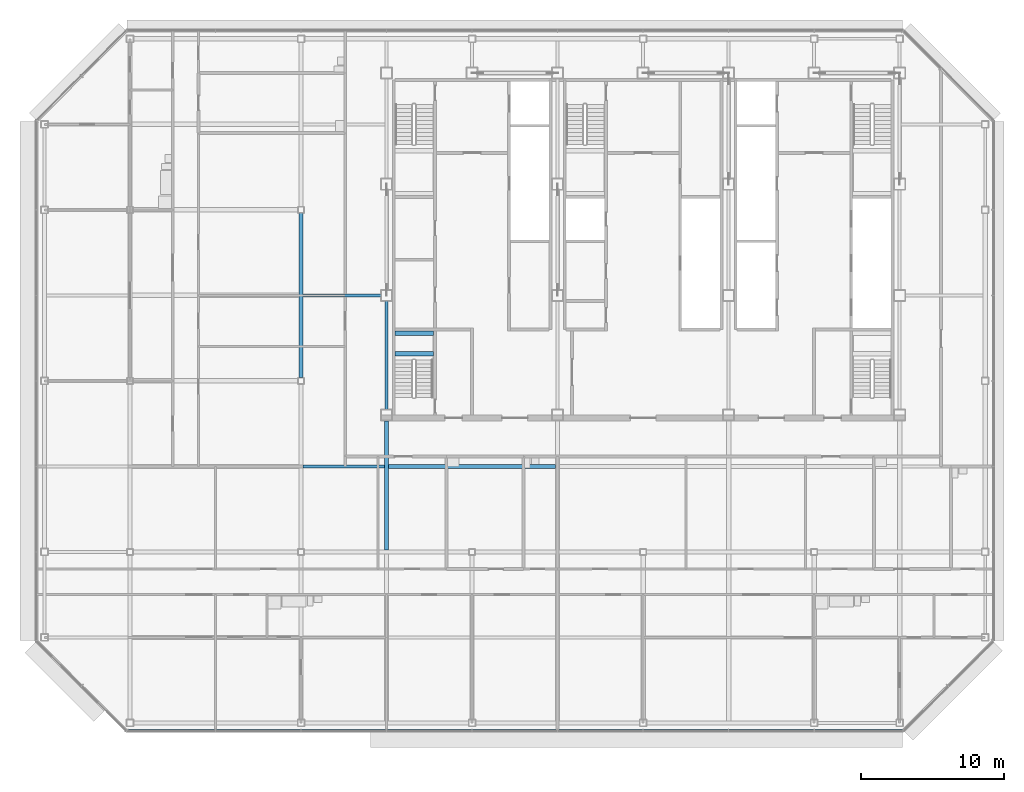
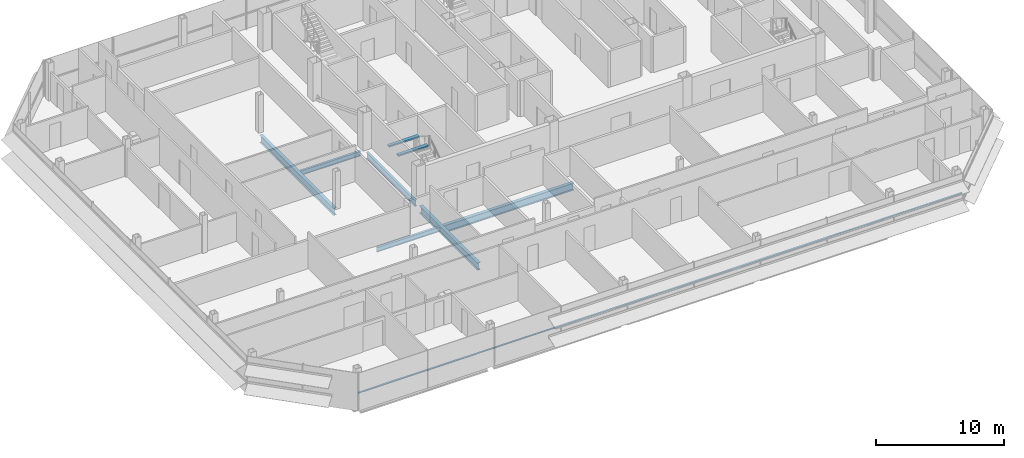
# One storey, part 9 of 27: 8 beams, 1 member, 1 element without a shape of its own.
"""IFC4 building model written with IfcOpenShell, lengths in metres."""

from ifc_helpers import new_model, si_unit, direction, frame, origin, origin_2d, place, context, subcontext, project, spatial, rectangle, i_section, extrude, material, material_profile, profile_set, type_object, element, aggregate, save


model = new_model("IFC4")

# Units and contexts
model_context = context("Model", 3, precision=1e-05, world=origin(), true_north=direction((0.0, 1.0)))
body_context = subcontext(model_context, "Body", "Model", "MODEL_VIEW")
ifc_project = project(units=[si_unit("LENGTHUNIT", "METRE"), si_unit("AREAUNIT", "SQUARE_METRE"), si_unit("VOLUMEUNIT", "CUBIC_METRE"), si_unit("PLANEANGLEUNIT", "RADIAN"), si_unit("MASSUNIT", "GRAM", prefix="KILO")], contexts=[model_context])

# Site, building, storey
site_placement = place(None, origin())
site = spatial("IfcSite", under=ifc_project, at=site_placement, CompositionType="ELEMENT")
building_placement = place(site_placement, origin())
building = spatial("IfcBuilding", under=site, at=building_placement, Name="Sorahane Residences", CompositionType="ELEMENT")
storey_placement = place(building_placement, frame((0.0, 0.0, 316.0)))
storey = spatial("IfcBuildingStorey", under=building, at=storey_placement, Name="L75", CompositionType="ELEMENT", Elevation=316.0)

# Curtain wall, member
ifc_material_1 = material(Name="Dark low-e glass and black anodised aluminium", Category="aluminium")
curtain_wall_type = type_object("IfcCurtainWallType", Name="Curtain wall CW-1 Typical unitised wall", PredefinedType="NOTDEFINED", material=ifc_material_1)
curtain_wall_placement = place(storey_placement, origin())
curtain_wall = element("IfcCurtainWall", 1, at=curtain_wall_placement, inside=storey, type_object=curtain_wall_type, Name="CW-1 curtain wall L75 S1", PredefinedType="NOTDEFINED")
ifc_material_2 = material(Name="Black anodised aluminium", Category="aluminium")
ifc_material_profile_1 = material_profile(ifc_material_2, rectangle(XDim=0.10009765625, YDim=0.06005859375, at=origin_2d()), Name="Curtain wall transom CW-1 black anodised aluminium 60x100")
ifc_profile_set_1 = profile_set([ifc_material_profile_1], Name="Black anodised aluminium")
member_type = type_object("IfcMemberType", Name="Curtain wall transom CW-1 black anodised aluminium 60x100", PredefinedType="USERDEFINED", material=ifc_profile_set_1)
member_placement = place(storey_placement, frame((-12.198486328125, -0.530029296875, 1.5), z_axis=(1.0, 0.0, 0.0), x_axis=(0.0, 1.0, 0.0)))
member = element("IfcMember", 2, at=member_placement, type_object=member_type, Name="CW-1 transom L75 S1", ObjectType="TRANSOM", PredefinedType="USERDEFINED", context=body_context, shape_type="SweptSolid", body=[
    extrude(rectangle(XDim=0.10009765625, YDim=0.06005859375, at=origin_2d()), origin(), (0.0, 0.0, 1.0), 54.39697265625),
])
aggregate(curtain_wall, [member])

# Beams
ifc_material_3 = material(Name="Concrete C40", Category="concrete")
ifc_material_profile_2 = material_profile(ifc_material_3, rectangle(XDim=0.300048828125, YDim=0.139892578125, at=origin_2d()), Name="300x140")
ifc_profile_set_2 = profile_set([ifc_material_profile_2], Name="Concrete C40")
beam_type_1 = type_object("IfcBeamType", Name="RC landing beam 300 x 140 Concrete C40", PredefinedType="BEAM", material=ifc_profile_set_2)
for number, where, z_axis, x_axis, name in (
    (3, (6.60009765625, 25.89990234375, 1.530029296875), (1.0, 0.0, 0.0), (0.0, 1.0, 0.0), "Landing beam"),
    (4, (6.60009765625, 27.35009765625, 1.530029296875), (1.0, 0.0, 0.0), (0.0, 1.0, 0.0), "Landing beam"),
):
    element("IfcBeam", number, at=place(storey_placement, frame(where, z_axis=z_axis, x_axis=x_axis)), inside=storey, type_object=beam_type_1, Name=name, PredefinedType="BEAM", context=body_context, shape_type="SweptSolid", body=[
        extrude(rectangle(XDim=0.300048828125, YDim=0.139892578125, at=origin_2d()), origin(), (0.0, 0.0, 1.0), 2.699951171875),
    ])
ifc_material_4 = material(Name="Steel Q355B", Category="steel")
ifc_material_profile_3 = material_profile(ifc_material_4, i_section(OverallWidth=0.199951171875, OverallDepth=0.449951171875, WebThickness=0.009033203125, FlangeThickness=0.013916015625, FilletRadius=0.02001953125, at=origin_2d()), Name="HN 450x200x9x14")
ifc_profile_set_3 = profile_set([ifc_material_profile_3], Name="Steel Q355B")
beam_type_2 = type_object("IfcBeamType", Name="Steel floor beam HN 450x200x9x14 Q355B", PredefinedType="BEAM", material=ifc_profile_set_3)
beam_1_placement = place(storey_placement, frame((0.14990234375, 18.0, -0.405029296875), z_axis=(1.0, 0.0, 0.0), x_axis=(0.0, 1.0, 0.0)))
element("IfcBeam", 5, at=beam_1_placement, inside=storey, type_object=beam_type_2, Name="Beam L75 078", PredefinedType="BEAM", context=body_context, shape_type="SweptSolid", body=[
    extrude(i_section(OverallWidth=0.199951171875, OverallDepth=0.449951171875, WebThickness=0.009033203125, FlangeThickness=0.013916015625, FilletRadius=0.02001953125, at=origin_2d()), origin(), (0.0, 0.0, 1.0), 5.7001953125),
])
beam_2_placement = place(storey_placement, frame((0.14990234375, 30.0, -0.405029296875), z_axis=(1.0, 0.0, 0.0), x_axis=(0.0, 1.0, 0.0)))
element("IfcBeam", 6, at=beam_2_placement, inside=storey, type_object=beam_type_2, Name="Beam L75 085", PredefinedType="BEAM", context=body_context, shape_type="SweptSolid", body=[
    extrude(i_section(OverallWidth=0.199951171875, OverallDepth=0.449951171875, WebThickness=0.009033203125, FlangeThickness=0.013916015625, FilletRadius=0.02001953125, at=origin_2d()), origin(), (0.0, 0.0, 1.0), 5.4501953125),
])
ifc_material_5 = material(Name="Steel Q355B", Category="steel")
ifc_material_profile_4 = material_profile(ifc_material_5, i_section(OverallWidth=0.199951171875, OverallDepth=0.60009765625, WebThickness=0.010986328125, FlangeThickness=0.01708984375, FilletRadius=0.02392578125, at=origin_2d()), Name="HN 600x200x11x17")
ifc_profile_set_4 = profile_set([ifc_material_profile_4], Name="Steel Q355B")
beam_type_3 = type_object("IfcBeamType", Name="Steel floor beam HN 600x200x11x17 Q355B", PredefinedType="BEAM", material=ifc_profile_set_4)
beam_3_placement = place(storey_placement, frame((6.0, 22.0, -0.47998046875), z_axis=(0.0, 1.0, 0.0), x_axis=(-1.0, 0.0, 0.0)))
element("IfcBeam", 7, at=beam_3_placement, inside=storey, type_object=beam_type_3, Name="Beam L75 034", PredefinedType="BEAM", context=body_context, shape_type="SweptSolid", body=[
    extrude(i_section(OverallWidth=0.199951171875, OverallDepth=0.60009765625, WebThickness=0.010986328125, FlangeThickness=0.01708984375, FilletRadius=0.02392578125, at=origin_2d()), origin(), (0.0, 0.0, 1.0), 7.60009765625),
])
ifc_material_6 = material(Name="Steel Q355B", Category="steel")
ifc_material_profile_5 = material_profile(ifc_material_6, i_section(OverallWidth=0.300048828125, OverallDepth=0.699951171875, WebThickness=0.012939453125, FlangeThickness=0.02392578125, FilletRadius=0.028076171875, at=origin_2d()), Name="HN 700x300x13x24")
ifc_profile_set_5 = profile_set([ifc_material_profile_5], Name="Steel Q355B")
beam_type_4 = type_object("IfcBeamType", Name="Steel floor beam HN 700x300x13x24 Q355B", PredefinedType="BEAM", material=ifc_profile_set_5)
beam_4_placement = place(storey_placement, frame((0.0, 24.22509765625, -0.530029296875), z_axis=(0.0, 1.0, 0.0), x_axis=(-1.0, 0.0, 0.0)))
element("IfcBeam", 8, at=beam_4_placement, inside=storey, type_object=beam_type_4, Name="Beam L75 030", PredefinedType="BEAM", context=body_context, shape_type="SweptSolid", body=[
    extrude(i_section(OverallWidth=0.300048828125, OverallDepth=0.699951171875, WebThickness=0.012939453125, FlangeThickness=0.02392578125, FilletRadius=0.028076171875, at=origin_2d()), origin(), (0.0, 0.0, 1.0), 11.5498046875),
])
beam_5_placement = place(storey_placement, frame((6.0, 12.14990234375, -0.530029296875), z_axis=(0.0, 1.0, 0.0), x_axis=(-1.0, 0.0, 0.0)))
element("IfcBeam", 9, at=beam_5_placement, inside=storey, type_object=beam_type_4, Name="Beam L75 033", PredefinedType="BEAM", context=body_context, shape_type="SweptSolid", body=[
    extrude(i_section(OverallWidth=0.300048828125, OverallDepth=0.699951171875, WebThickness=0.012939453125, FlangeThickness=0.02392578125, FilletRadius=0.028076171875, at=origin_2d()), origin(), (0.0, 0.0, 1.0), 9.050048828125),
])
beam_6_placement = place(storey_placement, frame((6.14990234375, 18.0, -0.530029296875), z_axis=(1.0, 0.0, 0.0), x_axis=(0.0, 1.0, 0.0)))
element("IfcBeam", 10, at=beam_6_placement, inside=storey, type_object=beam_type_4, Name="Beam L75 079", PredefinedType="BEAM", context=body_context, shape_type="SweptSolid", body=[
    extrude(i_section(OverallWidth=0.300048828125, OverallDepth=0.699951171875, WebThickness=0.012939453125, FlangeThickness=0.02392578125, FilletRadius=0.028076171875, at=origin_2d()), origin(), (0.0, 0.0, 1.0), 11.7001953125),
])

save(model, "model.ifc")
